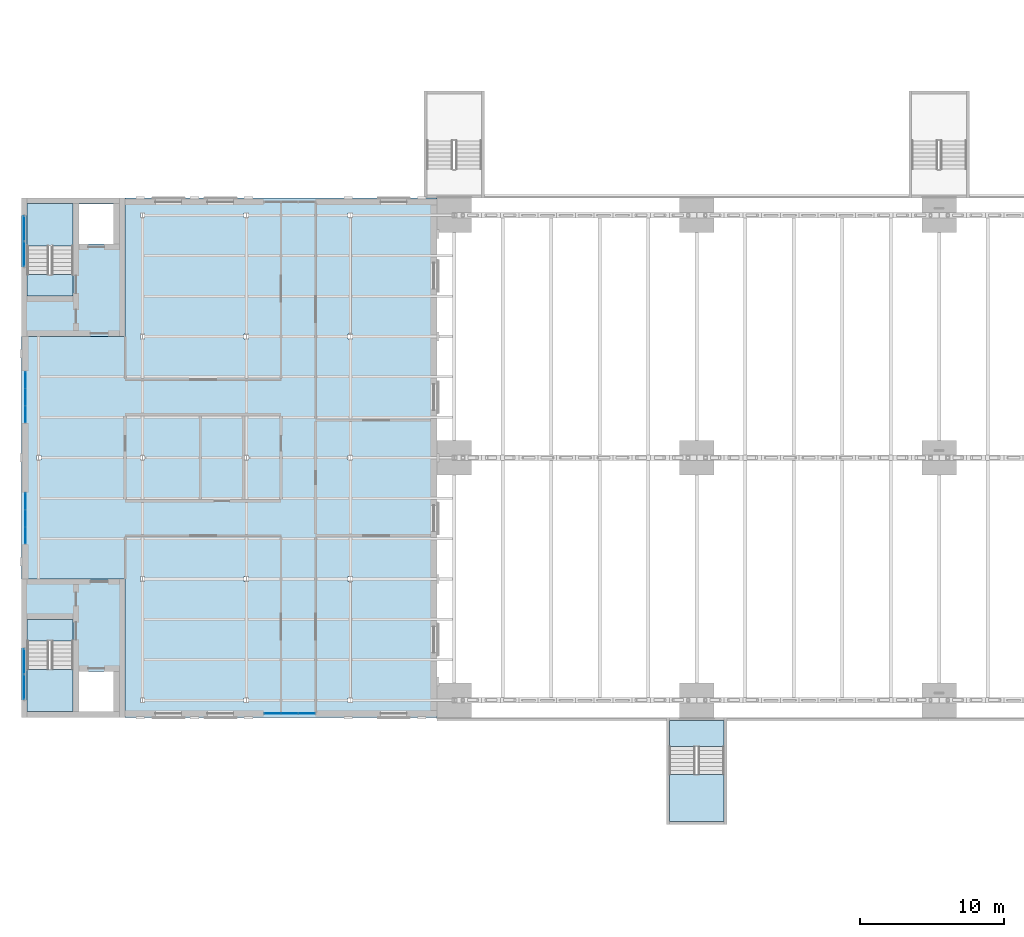
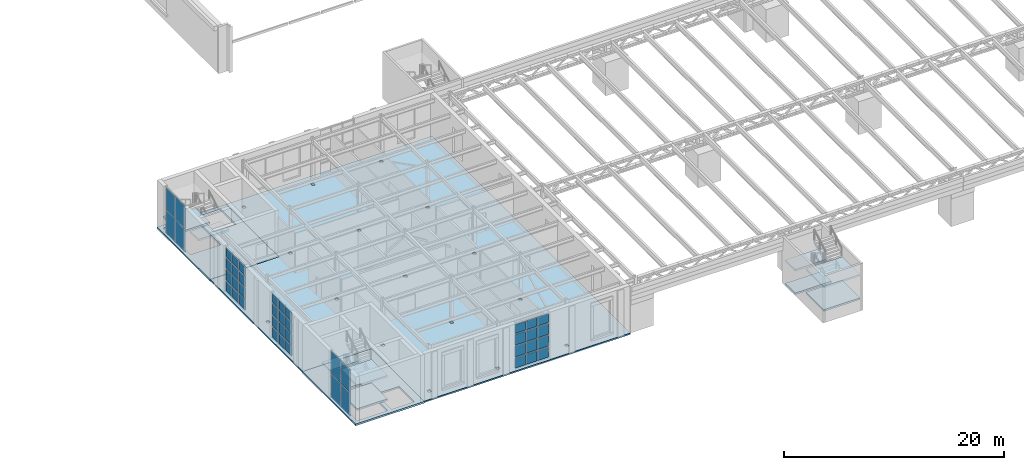
# One storey, part 49 of 93: 44 plates, 12 slabs, 8 elements without a shape of their own.
"""IFC4 building model written with IfcOpenShell, lengths in metres."""

from ifc_helpers import new_model, si_unit, direction, frame, origin, origin_2d, place, context, subcontext, project, spatial, polyline, rectangle, outline, extrude, material, layer, layer_set, type_object, element, aggregate, save


model = new_model("IFC4")

# Units and contexts
model_context = context("Model", 3, precision=1e-05, world=origin(), true_north=direction((0.0, 1.0)))
body_context = subcontext(model_context, "Body", "Model", "MODEL_VIEW")
ifc_project = project(units=[si_unit("LENGTHUNIT", "METRE"), si_unit("AREAUNIT", "SQUARE_METRE"), si_unit("VOLUMEUNIT", "CUBIC_METRE"), si_unit("PLANEANGLEUNIT", "RADIAN"), si_unit("MASSUNIT", "GRAM", prefix="KILO")], contexts=[model_context])

# Site, building, storey
site_placement = place(None, origin())
site = spatial("IfcSite", under=ifc_project, at=site_placement, CompositionType="ELEMENT")
building_placement = place(site_placement, origin())
building = spatial("IfcBuilding", under=site, at=building_placement, Name="Verrick Yard Athletic Hall", CompositionType="ELEMENT")
storey_placement = place(building_placement, frame((0.0, 0.0, 8.800048828125)))
storey = spatial("IfcBuildingStorey", under=building, at=storey_placement, Name="L02", CompositionType="ELEMENT", Elevation=8.800048828125)

# Slabs
ifc_material_1 = material(Name="Concrete 35 MPa", Category="concrete")
ifc_layer_1 = layer(ifc_material_1, 0.199951171875)
ifc_layer_set_1 = layer_set([ifc_layer_1], Name="Core floor slab 200")
slab_type_1 = type_object("IfcSlabType", Name="Core floor slab 200", PredefinedType="FLOOR", material=ifc_layer_set_1)
slab_1_placement = place(storey_placement, frame((0.0, 0.0, -0.199951171875)))
element("IfcSlab", 1, at=slab_1_placement, inside=storey, type_object=slab_type_1, Name="CORE-CB1-FLR-L02", PredefinedType="FLOOR", context=body_context, shape_type="SweptSolid", body=[
    extrude(outline(polyline([(10.0, 18.0), (17.199951171875, 18.0), (17.199951171875, 27.60009765625), (10.0, 27.60009765625), (10.0, 18.0)]), holes=[polyline([(10.403076171875, 23.297119140625), (13.596923828125, 23.297119140625), (13.596923828125, 18.403076171875), (10.403076171875, 18.403076171875), (10.403076171875, 23.297119140625)]), polyline([(14.0029296875, 18.403076171875), (14.0029296875, 21.197021484375), (16.39697265625, 21.197021484375), (16.39697265625, 18.403076171875), (14.0029296875, 18.403076171875)])]), origin(), (0.0, 0.0, 1.0), 0.199951171875),
])
slab_2_placement = place(storey_placement, frame((0.0, 0.0, -0.199951171875)))
element("IfcSlab", 2, at=slab_2_placement, inside=storey, type_object=slab_type_1, Name="CORE-CB2-FLR-L02", PredefinedType="FLOOR", context=body_context, shape_type="SweptSolid", body=[
    extrude(outline(polyline([(10.0, 44.39990234375), (17.199951171875, 44.39990234375), (17.199951171875, 54.0), (10.0, 54.0), (10.0, 44.39990234375)]), holes=[polyline([(13.596923828125, 48.702880859375), (10.403076171875, 48.702880859375), (10.403076171875, 53.596923828125), (13.596923828125, 53.596923828125), (13.596923828125, 48.702880859375)]), polyline([(14.0029296875, 50.802978515625), (14.0029296875, 53.596923828125), (16.39697265625, 53.596923828125), (16.39697265625, 50.802978515625), (14.0029296875, 50.802978515625)])]), origin(), (0.0, 0.0, 1.0), 0.199951171875),
])
slab_3_placement = place(storey_placement, frame((0.0, 0.0, -0.199951171875)))
element("IfcSlab", 3, at=slab_3_placement, inside=storey, type_object=slab_type_1, Name="CORE-DT-S1-NL-L02", PredefinedType="FLOOR", context=body_context, shape_type="SweptSolid", body=[
    extrude(outline(polyline([(54.89990234375, 17.800048828125), (54.89990234375, 16.0), (58.699951171875, 16.0), (58.699951171875, 17.800048828125), (54.89990234375, 17.800048828125)])), origin(), (0.0, 0.0, 1.0), 0.199951171875),
])

# Curtain wall, plates
ifc_material_2 = material(Name="Aluminium 6063-T5", Category="aluminium")
curtain_wall_type_1 = type_object("IfcCurtainWallType", Name="Core glazing strip", PredefinedType="NOTDEFINED", material=ifc_material_2)
curtain_wall_1_placement = place(storey_placement, origin())
curtain_wall_1 = element("IfcCurtainWall", 4, at=curtain_wall_1_placement, inside=storey, type_object=curtain_wall_type_1, Name="CORE-CB1-CW-L02", PredefinedType="NOTDEFINED")
ifc_material_3 = material(Name="Glass IGU low-e", Category="glass")
ifc_layer_2 = layer(ifc_material_3, 0.028076171875)
ifc_layer_set_2 = layer_set([ifc_layer_2], Name="Core glazing panel 28")
plate_type_1 = type_object("IfcPlateType", Name="Core glazing panel 28", PredefinedType="CURTAIN_PANEL", material=ifc_layer_set_2)
plate_1_placement = place(storey_placement, frame((10.199951171875, 20.114990234375, 0.06005859375), z_axis=(0.0, 0.0, 1.0), x_axis=(0.0, 1.0, 0.0)))
plate_1 = element("IfcPlate", 5, at=plate_1_placement, type_object=plate_type_1, Name="CW5 panel 1.1", PredefinedType="CURTAIN_PANEL", context=body_context, shape_type="SweptSolid", body=[
    extrude(rectangle(XDim=1.7099609375, YDim=0.028076171875, at=origin_2d()), origin(), (0.0, 0.0, 1.0), 2.510009765625),
])
plate_2_placement = place(storey_placement, frame((10.199951171875, 20.114990234375, 2.6298828125), z_axis=(0.0, 0.0, 1.0), x_axis=(0.0, 1.0, 0.0)))
plate_2 = element("IfcPlate", 6, at=plate_2_placement, type_object=plate_type_1, Name="CW5 panel 1.2", PredefinedType="CURTAIN_PANEL", context=body_context, shape_type="SweptSolid", body=[
    extrude(rectangle(XDim=1.7099609375, YDim=0.028076171875, at=origin_2d()), origin(), (0.0, 0.0, 1.0), 2.510009765625),
])
plate_3_placement = place(storey_placement, frame((10.199951171875, 21.885009765625, 0.06005859375), z_axis=(0.0, 0.0, 1.0), x_axis=(0.0, 1.0, 0.0)))
plate_3 = element("IfcPlate", 7, at=plate_3_placement, type_object=plate_type_1, Name="CW5 panel 2.1", PredefinedType="CURTAIN_PANEL", context=body_context, shape_type="SweptSolid", body=[
    extrude(rectangle(XDim=1.7099609375, YDim=0.028076171875, at=origin_2d()), origin(), (0.0, 0.0, 1.0), 2.510009765625),
])
plate_4_placement = place(storey_placement, frame((10.199951171875, 21.885009765625, 2.6298828125), z_axis=(0.0, 0.0, 1.0), x_axis=(0.0, 1.0, 0.0)))
plate_4 = element("IfcPlate", 8, at=plate_4_placement, type_object=plate_type_1, Name="CW5 panel 2.2", PredefinedType="CURTAIN_PANEL", context=body_context, shape_type="SweptSolid", body=[
    extrude(rectangle(XDim=1.7099609375, YDim=0.028076171875, at=origin_2d()), origin(), (0.0, 0.0, 1.0), 2.510009765625),
])
aggregate(curtain_wall_1, [plate_1, plate_2, plate_3, plate_4])

curtain_wall_2_placement = place(storey_placement, origin())
curtain_wall_2 = element("IfcCurtainWall", 9, at=curtain_wall_2_placement, inside=storey, type_object=curtain_wall_type_1, Name="CORE-CB2-CW-L02", PredefinedType="NOTDEFINED")
plate_5_placement = place(storey_placement, frame((10.199951171875, 50.114990234375, 0.06005859375), z_axis=(0.0, 0.0, 1.0), x_axis=(0.0, 1.0, 0.0)))
plate_5 = element("IfcPlate", 10, at=plate_5_placement, type_object=plate_type_1, Name="CW5 panel 1.1", PredefinedType="CURTAIN_PANEL", context=body_context, shape_type="SweptSolid", body=[
    extrude(rectangle(XDim=1.7099609375, YDim=0.028076171875, at=origin_2d()), origin(), (0.0, 0.0, 1.0), 2.510009765625),
])
plate_6_placement = place(storey_placement, frame((10.199951171875, 50.114990234375, 2.6298828125), z_axis=(0.0, 0.0, 1.0), x_axis=(0.0, 1.0, 0.0)))
plate_6 = element("IfcPlate", 11, at=plate_6_placement, type_object=plate_type_1, Name="CW5 panel 1.2", PredefinedType="CURTAIN_PANEL", context=body_context, shape_type="SweptSolid", body=[
    extrude(rectangle(XDim=1.7099609375, YDim=0.028076171875, at=origin_2d()), origin(), (0.0, 0.0, 1.0), 2.510009765625),
])
plate_7_placement = place(storey_placement, frame((10.199951171875, 51.885009765625, 0.06005859375), z_axis=(0.0, 0.0, 1.0), x_axis=(0.0, 1.0, 0.0)))
plate_7 = element("IfcPlate", 12, at=plate_7_placement, type_object=plate_type_1, Name="CW5 panel 2.1", PredefinedType="CURTAIN_PANEL", context=body_context, shape_type="SweptSolid", body=[
    extrude(rectangle(XDim=1.7099609375, YDim=0.028076171875, at=origin_2d()), origin(), (0.0, 0.0, 1.0), 2.510009765625),
])
plate_8_placement = place(storey_placement, frame((10.199951171875, 51.885009765625, 2.6298828125), z_axis=(0.0, 0.0, 1.0), x_axis=(0.0, 1.0, 0.0)))
plate_8 = element("IfcPlate", 13, at=plate_8_placement, type_object=plate_type_1, Name="CW5 panel 2.2", PredefinedType="CURTAIN_PANEL", context=body_context, shape_type="SweptSolid", body=[
    extrude(rectangle(XDim=1.7099609375, YDim=0.028076171875, at=origin_2d()), origin(), (0.0, 0.0, 1.0), 2.510009765625),
])
aggregate(curtain_wall_2, [plate_5, plate_6, plate_7, plate_8])

ifc_material_4 = material(Name="Anodised aluminium", Category="aluminium")
ifc_layer_3 = layer(ifc_material_4, 0.199951171875)
ifc_layer_set_3 = layer_set([ifc_layer_3], Name="Front glazing")
curtain_wall_type_2 = type_object("IfcCurtainWallType", Name="Front glazing", PredefinedType="NOTDEFINED", material=ifc_layer_set_3)
curtain_wall_3_placement = place(storey_placement, origin())
curtain_wall_3 = element("IfcCurtainWall", 14, at=curtain_wall_3_placement, inside=storey, type_object=curtain_wall_type_2, Name="ENVB-WS-L02-CW268", PredefinedType="NOTDEFINED")
ifc_layer_4 = layer(ifc_material_3, 0.03125)
ifc_layer_set_4 = layer_set([ifc_layer_4], Name="Glazing panel 31")
plate_type_2 = type_object("IfcPlateType", Name="Glazing panel 31", PredefinedType="CURTAIN_PANEL", material=ifc_layer_set_4)
plate_9_placement = place(storey_placement, frame((27.4150390625, 18.28125, 0.119873046875), z_axis=(0.0, 0.0, 1.0), x_axis=(1.0, 0.0, 0.0)))
plate_9 = element("IfcPlate", 15, at=plate_9_placement, type_object=plate_type_2, Name="ENVB-WS-L02-CW268/P00-00", PredefinedType="CURTAIN_PANEL", context=body_context, shape_type="SweptSolid", body=[
    extrude(rectangle(XDim=1.110107421875, YDim=0.03125, at=origin_2d()), origin(), (0.0, 0.0, 1.0), 1.1201171875),
])
plate_10_placement = place(storey_placement, frame((27.4150390625, 18.28125, 1.35986328125), z_axis=(0.0, 0.0, 1.0), x_axis=(1.0, 0.0, 0.0)))
plate_10 = element("IfcPlate", 16, at=plate_10_placement, type_object=plate_type_2, Name="ENVB-WS-L02-CW268/P00-01", PredefinedType="CURTAIN_PANEL", context=body_context, shape_type="SweptSolid", body=[
    extrude(rectangle(XDim=1.110107421875, YDim=0.03125, at=origin_2d()), origin(), (0.0, 0.0, 1.0), 1.179931640625),
])
plate_11_placement = place(storey_placement, frame((27.4150390625, 18.28125, 2.66015625), z_axis=(0.0, 0.0, 1.0), x_axis=(1.0, 0.0, 0.0)))
plate_11 = element("IfcPlate", 17, at=plate_11_placement, type_object=plate_type_2, Name="ENVB-WS-L02-CW268/P00-02", PredefinedType="CURTAIN_PANEL", context=body_context, shape_type="SweptSolid", body=[
    extrude(rectangle(XDim=1.110107421875, YDim=0.03125, at=origin_2d()), origin(), (0.0, 0.0, 1.0), 1.179931640625),
])
plate_12_placement = place(storey_placement, frame((27.4150390625, 18.28125, 3.9599609375), z_axis=(0.0, 0.0, 1.0), x_axis=(1.0, 0.0, 0.0)))
plate_12 = element("IfcPlate", 18, at=plate_12_placement, type_object=plate_type_2, Name="ENVB-WS-L02-CW268/P00-03", PredefinedType="CURTAIN_PANEL", context=body_context, shape_type="SweptSolid", body=[
    extrude(rectangle(XDim=1.110107421875, YDim=0.03125, at=origin_2d()), origin(), (0.0, 0.0, 1.0), 0.969970703125),
])
plate_13_placement = place(storey_placement, frame((28.60009765625, 18.28125, 0.119873046875), z_axis=(0.0, 0.0, 1.0), x_axis=(1.0, 0.0, 0.0)))
plate_13 = element("IfcPlate", 19, at=plate_13_placement, type_object=plate_type_2, Name="ENVB-WS-L02-CW268/P01-00", PredefinedType="CURTAIN_PANEL", context=body_context, shape_type="SweptSolid", body=[
    extrude(rectangle(XDim=1.139892578125, YDim=0.03125, at=origin_2d()), origin(), (0.0, 0.0, 1.0), 1.1201171875),
])
plate_14_placement = place(storey_placement, frame((28.60009765625, 18.28125, 1.35986328125), z_axis=(0.0, 0.0, 1.0), x_axis=(1.0, 0.0, 0.0)))
plate_14 = element("IfcPlate", 20, at=plate_14_placement, type_object=plate_type_2, Name="ENVB-WS-L02-CW268/P01-01", PredefinedType="CURTAIN_PANEL", context=body_context, shape_type="SweptSolid", body=[
    extrude(rectangle(XDim=1.139892578125, YDim=0.03125, at=origin_2d()), origin(), (0.0, 0.0, 1.0), 1.179931640625),
])
plate_15_placement = place(storey_placement, frame((28.60009765625, 18.28125, 2.66015625), z_axis=(0.0, 0.0, 1.0), x_axis=(1.0, 0.0, 0.0)))
plate_15 = element("IfcPlate", 21, at=plate_15_placement, type_object=plate_type_2, Name="ENVB-WS-L02-CW268/P01-02", PredefinedType="CURTAIN_PANEL", context=body_context, shape_type="SweptSolid", body=[
    extrude(rectangle(XDim=1.139892578125, YDim=0.03125, at=origin_2d()), origin(), (0.0, 0.0, 1.0), 1.179931640625),
])
plate_16_placement = place(storey_placement, frame((28.60009765625, 18.28125, 3.9599609375), z_axis=(0.0, 0.0, 1.0), x_axis=(1.0, 0.0, 0.0)))
plate_16 = element("IfcPlate", 22, at=plate_16_placement, type_object=plate_type_2, Name="ENVB-WS-L02-CW268/P01-03", PredefinedType="CURTAIN_PANEL", context=body_context, shape_type="SweptSolid", body=[
    extrude(rectangle(XDim=1.139892578125, YDim=0.03125, at=origin_2d()), origin(), (0.0, 0.0, 1.0), 0.969970703125),
])
plate_17_placement = place(storey_placement, frame((29.784912109375, 18.28125, 0.119873046875), z_axis=(0.0, 0.0, 1.0), x_axis=(1.0, 0.0, 0.0)))
plate_17 = element("IfcPlate", 23, at=plate_17_placement, type_object=plate_type_2, Name="ENVB-WS-L02-CW268/P02-00", PredefinedType="CURTAIN_PANEL", context=body_context, shape_type="SweptSolid", body=[
    extrude(rectangle(XDim=1.110107421875, YDim=0.03125, at=origin_2d()), origin(), (0.0, 0.0, 1.0), 1.1201171875),
])
plate_18_placement = place(storey_placement, frame((29.784912109375, 18.28125, 1.35986328125), z_axis=(0.0, 0.0, 1.0), x_axis=(1.0, 0.0, 0.0)))
plate_18 = element("IfcPlate", 24, at=plate_18_placement, type_object=plate_type_2, Name="ENVB-WS-L02-CW268/P02-01", PredefinedType="CURTAIN_PANEL", context=body_context, shape_type="SweptSolid", body=[
    extrude(rectangle(XDim=1.110107421875, YDim=0.03125, at=origin_2d()), origin(), (0.0, 0.0, 1.0), 1.179931640625),
])
plate_19_placement = place(storey_placement, frame((29.784912109375, 18.28125, 2.66015625), z_axis=(0.0, 0.0, 1.0), x_axis=(1.0, 0.0, 0.0)))
plate_19 = element("IfcPlate", 25, at=plate_19_placement, type_object=plate_type_2, Name="ENVB-WS-L02-CW268/P02-02", PredefinedType="CURTAIN_PANEL", context=body_context, shape_type="SweptSolid", body=[
    extrude(rectangle(XDim=1.110107421875, YDim=0.03125, at=origin_2d()), origin(), (0.0, 0.0, 1.0), 1.179931640625),
])
plate_20_placement = place(storey_placement, frame((29.784912109375, 18.28125, 3.9599609375), z_axis=(0.0, 0.0, 1.0), x_axis=(1.0, 0.0, 0.0)))
plate_20 = element("IfcPlate", 26, at=plate_20_placement, type_object=plate_type_2, Name="ENVB-WS-L02-CW268/P02-03", PredefinedType="CURTAIN_PANEL", context=body_context, shape_type="SweptSolid", body=[
    extrude(rectangle(XDim=1.110107421875, YDim=0.03125, at=origin_2d()), origin(), (0.0, 0.0, 1.0), 0.969970703125),
])
aggregate(curtain_wall_3, [plate_9, plate_10, plate_11, plate_12, plate_13, plate_14, plate_15, plate_16, plate_17, plate_18, plate_19, plate_20])

curtain_wall_4_placement = place(storey_placement, origin())
curtain_wall_4 = element("IfcCurtainWall", 27, at=curtain_wall_4_placement, inside=storey, type_object=curtain_wall_type_2, Name="ENVB-WW-L02-CW300", PredefinedType="NOTDEFINED")
plate_21_placement = place(storey_placement, frame((10.28125, 30.614990234375, 0.119873046875), z_axis=(0.0, 0.0, 1.0), x_axis=(0.0, 1.0, 0.0)))
plate_21 = element("IfcPlate", 28, at=plate_21_placement, type_object=plate_type_2, Name="ENVB-WW-L02-CW300/P00-00", PredefinedType="CURTAIN_PANEL", context=body_context, shape_type="SweptSolid", body=[
    extrude(rectangle(XDim=1.110107421875, YDim=0.03125, at=origin_2d()), origin(), (0.0, 0.0, 1.0), 1.1201171875),
])
plate_22_placement = place(storey_placement, frame((10.28125, 30.614990234375, 1.35986328125), z_axis=(0.0, 0.0, 1.0), x_axis=(0.0, 1.0, 0.0)))
plate_22 = element("IfcPlate", 29, at=plate_22_placement, type_object=plate_type_2, Name="ENVB-WW-L02-CW300/P00-01", PredefinedType="CURTAIN_PANEL", context=body_context, shape_type="SweptSolid", body=[
    extrude(rectangle(XDim=1.110107421875, YDim=0.03125, at=origin_2d()), origin(), (0.0, 0.0, 1.0), 1.179931640625),
])
plate_23_placement = place(storey_placement, frame((10.28125, 30.614990234375, 2.66015625), z_axis=(0.0, 0.0, 1.0), x_axis=(0.0, 1.0, 0.0)))
plate_23 = element("IfcPlate", 30, at=plate_23_placement, type_object=plate_type_2, Name="ENVB-WW-L02-CW300/P00-02", PredefinedType="CURTAIN_PANEL", context=body_context, shape_type="SweptSolid", body=[
    extrude(rectangle(XDim=1.110107421875, YDim=0.03125, at=origin_2d()), origin(), (0.0, 0.0, 1.0), 1.179931640625),
])
plate_24_placement = place(storey_placement, frame((10.28125, 30.614990234375, 3.9599609375), z_axis=(0.0, 0.0, 1.0), x_axis=(0.0, 1.0, 0.0)))
plate_24 = element("IfcPlate", 31, at=plate_24_placement, type_object=plate_type_2, Name="ENVB-WW-L02-CW300/P00-03", PredefinedType="CURTAIN_PANEL", context=body_context, shape_type="SweptSolid", body=[
    extrude(rectangle(XDim=1.110107421875, YDim=0.03125, at=origin_2d()), origin(), (0.0, 0.0, 1.0), 0.969970703125),
])
plate_25_placement = place(storey_placement, frame((10.28125, 31.800048828125, 0.119873046875), z_axis=(0.0, 0.0, 1.0), x_axis=(0.0, 1.0, 0.0)))
plate_25 = element("IfcPlate", 32, at=plate_25_placement, type_object=plate_type_2, Name="ENVB-WW-L02-CW300/P01-00", PredefinedType="CURTAIN_PANEL", context=body_context, shape_type="SweptSolid", body=[
    extrude(rectangle(XDim=1.139892578125, YDim=0.03125, at=origin_2d()), origin(), (0.0, 0.0, 1.0), 1.1201171875),
])
plate_26_placement = place(storey_placement, frame((10.28125, 31.800048828125, 1.35986328125), z_axis=(0.0, 0.0, 1.0), x_axis=(0.0, 1.0, 0.0)))
plate_26 = element("IfcPlate", 33, at=plate_26_placement, type_object=plate_type_2, Name="ENVB-WW-L02-CW300/P01-01", PredefinedType="CURTAIN_PANEL", context=body_context, shape_type="SweptSolid", body=[
    extrude(rectangle(XDim=1.139892578125, YDim=0.03125, at=origin_2d()), origin(), (0.0, 0.0, 1.0), 1.179931640625),
])
plate_27_placement = place(storey_placement, frame((10.28125, 31.800048828125, 2.66015625), z_axis=(0.0, 0.0, 1.0), x_axis=(0.0, 1.0, 0.0)))
plate_27 = element("IfcPlate", 34, at=plate_27_placement, type_object=plate_type_2, Name="ENVB-WW-L02-CW300/P01-02", PredefinedType="CURTAIN_PANEL", context=body_context, shape_type="SweptSolid", body=[
    extrude(rectangle(XDim=1.139892578125, YDim=0.03125, at=origin_2d()), origin(), (0.0, 0.0, 1.0), 1.179931640625),
])
plate_28_placement = place(storey_placement, frame((10.28125, 31.800048828125, 3.9599609375), z_axis=(0.0, 0.0, 1.0), x_axis=(0.0, 1.0, 0.0)))
plate_28 = element("IfcPlate", 35, at=plate_28_placement, type_object=plate_type_2, Name="ENVB-WW-L02-CW300/P01-03", PredefinedType="CURTAIN_PANEL", context=body_context, shape_type="SweptSolid", body=[
    extrude(rectangle(XDim=1.139892578125, YDim=0.03125, at=origin_2d()), origin(), (0.0, 0.0, 1.0), 0.969970703125),
])
plate_29_placement = place(storey_placement, frame((10.28125, 32.985107421875, 0.119873046875), z_axis=(0.0, 0.0, 1.0), x_axis=(0.0, 1.0, 0.0)))
plate_29 = element("IfcPlate", 36, at=plate_29_placement, type_object=plate_type_2, Name="ENVB-WW-L02-CW300/P02-00", PredefinedType="CURTAIN_PANEL", context=body_context, shape_type="SweptSolid", body=[
    extrude(rectangle(XDim=1.110107421875, YDim=0.03125, at=origin_2d()), origin(), (0.0, 0.0, 1.0), 1.1201171875),
])
plate_30_placement = place(storey_placement, frame((10.28125, 32.985107421875, 1.35986328125), z_axis=(0.0, 0.0, 1.0), x_axis=(0.0, 1.0, 0.0)))
plate_30 = element("IfcPlate", 37, at=plate_30_placement, type_object=plate_type_2, Name="ENVB-WW-L02-CW300/P02-01", PredefinedType="CURTAIN_PANEL", context=body_context, shape_type="SweptSolid", body=[
    extrude(rectangle(XDim=1.110107421875, YDim=0.03125, at=origin_2d()), origin(), (0.0, 0.0, 1.0), 1.179931640625),
])
plate_31_placement = place(storey_placement, frame((10.28125, 32.985107421875, 2.66015625), z_axis=(0.0, 0.0, 1.0), x_axis=(0.0, 1.0, 0.0)))
plate_31 = element("IfcPlate", 38, at=plate_31_placement, type_object=plate_type_2, Name="ENVB-WW-L02-CW300/P02-02", PredefinedType="CURTAIN_PANEL", context=body_context, shape_type="SweptSolid", body=[
    extrude(rectangle(XDim=1.110107421875, YDim=0.03125, at=origin_2d()), origin(), (0.0, 0.0, 1.0), 1.179931640625),
])
plate_32_placement = place(storey_placement, frame((10.28125, 32.985107421875, 3.9599609375), z_axis=(0.0, 0.0, 1.0), x_axis=(0.0, 1.0, 0.0)))
plate_32 = element("IfcPlate", 39, at=plate_32_placement, type_object=plate_type_2, Name="ENVB-WW-L02-CW300/P02-03", PredefinedType="CURTAIN_PANEL", context=body_context, shape_type="SweptSolid", body=[
    extrude(rectangle(XDim=1.110107421875, YDim=0.03125, at=origin_2d()), origin(), (0.0, 0.0, 1.0), 0.969970703125),
])
aggregate(curtain_wall_4, [plate_21, plate_22, plate_23, plate_24, plate_25, plate_26, plate_27, plate_28, plate_29, plate_30, plate_31, plate_32])

curtain_wall_5_placement = place(storey_placement, origin())
curtain_wall_5 = element("IfcCurtainWall", 40, at=curtain_wall_5_placement, inside=storey, type_object=curtain_wall_type_2, Name="ENVB-WW-L02-CW384", PredefinedType="NOTDEFINED")
plate_33_placement = place(storey_placement, frame((10.28125, 39.014892578125, 0.119873046875), z_axis=(0.0, 0.0, 1.0), x_axis=(0.0, 1.0, 0.0)))
plate_33 = element("IfcPlate", 41, at=plate_33_placement, type_object=plate_type_2, Name="ENVB-WW-L02-CW384/P00-00", PredefinedType="CURTAIN_PANEL", context=body_context, shape_type="SweptSolid", body=[
    extrude(rectangle(XDim=1.110107421875, YDim=0.03125, at=origin_2d()), origin(), (0.0, 0.0, 1.0), 1.1201171875),
])
plate_34_placement = place(storey_placement, frame((10.28125, 39.014892578125, 1.35986328125), z_axis=(0.0, 0.0, 1.0), x_axis=(0.0, 1.0, 0.0)))
plate_34 = element("IfcPlate", 42, at=plate_34_placement, type_object=plate_type_2, Name="ENVB-WW-L02-CW384/P00-01", PredefinedType="CURTAIN_PANEL", context=body_context, shape_type="SweptSolid", body=[
    extrude(rectangle(XDim=1.110107421875, YDim=0.03125, at=origin_2d()), origin(), (0.0, 0.0, 1.0), 1.179931640625),
])
plate_35_placement = place(storey_placement, frame((10.28125, 39.014892578125, 2.66015625), z_axis=(0.0, 0.0, 1.0), x_axis=(0.0, 1.0, 0.0)))
plate_35 = element("IfcPlate", 43, at=plate_35_placement, type_object=plate_type_2, Name="ENVB-WW-L02-CW384/P00-02", PredefinedType="CURTAIN_PANEL", context=body_context, shape_type="SweptSolid", body=[
    extrude(rectangle(XDim=1.110107421875, YDim=0.03125, at=origin_2d()), origin(), (0.0, 0.0, 1.0), 1.179931640625),
])
plate_36_placement = place(storey_placement, frame((10.28125, 39.014892578125, 3.9599609375), z_axis=(0.0, 0.0, 1.0), x_axis=(0.0, 1.0, 0.0)))
plate_36 = element("IfcPlate", 44, at=plate_36_placement, type_object=plate_type_2, Name="ENVB-WW-L02-CW384/P00-03", PredefinedType="CURTAIN_PANEL", context=body_context, shape_type="SweptSolid", body=[
    extrude(rectangle(XDim=1.110107421875, YDim=0.03125, at=origin_2d()), origin(), (0.0, 0.0, 1.0), 0.969970703125),
])
plate_37_placement = place(storey_placement, frame((10.28125, 40.199951171875, 0.119873046875), z_axis=(0.0, 0.0, 1.0), x_axis=(0.0, 1.0, 0.0)))
plate_37 = element("IfcPlate", 45, at=plate_37_placement, type_object=plate_type_2, Name="ENVB-WW-L02-CW384/P01-00", PredefinedType="CURTAIN_PANEL", context=body_context, shape_type="SweptSolid", body=[
    extrude(rectangle(XDim=1.139892578125, YDim=0.03125, at=origin_2d()), origin(), (0.0, 0.0, 1.0), 1.1201171875),
])
plate_38_placement = place(storey_placement, frame((10.28125, 40.199951171875, 1.35986328125), z_axis=(0.0, 0.0, 1.0), x_axis=(0.0, 1.0, 0.0)))
plate_38 = element("IfcPlate", 46, at=plate_38_placement, type_object=plate_type_2, Name="ENVB-WW-L02-CW384/P01-01", PredefinedType="CURTAIN_PANEL", context=body_context, shape_type="SweptSolid", body=[
    extrude(rectangle(XDim=1.139892578125, YDim=0.03125, at=origin_2d()), origin(), (0.0, 0.0, 1.0), 1.179931640625),
])
plate_39_placement = place(storey_placement, frame((10.28125, 40.199951171875, 2.66015625), z_axis=(0.0, 0.0, 1.0), x_axis=(0.0, 1.0, 0.0)))
plate_39 = element("IfcPlate", 47, at=plate_39_placement, type_object=plate_type_2, Name="ENVB-WW-L02-CW384/P01-02", PredefinedType="CURTAIN_PANEL", context=body_context, shape_type="SweptSolid", body=[
    extrude(rectangle(XDim=1.139892578125, YDim=0.03125, at=origin_2d()), origin(), (0.0, 0.0, 1.0), 1.179931640625),
])
plate_40_placement = place(storey_placement, frame((10.28125, 40.199951171875, 3.9599609375), z_axis=(0.0, 0.0, 1.0), x_axis=(0.0, 1.0, 0.0)))
plate_40 = element("IfcPlate", 48, at=plate_40_placement, type_object=plate_type_2, Name="ENVB-WW-L02-CW384/P01-03", PredefinedType="CURTAIN_PANEL", context=body_context, shape_type="SweptSolid", body=[
    extrude(rectangle(XDim=1.139892578125, YDim=0.03125, at=origin_2d()), origin(), (0.0, 0.0, 1.0), 0.969970703125),
])
plate_41_placement = place(storey_placement, frame((10.28125, 41.385009765625, 0.119873046875), z_axis=(0.0, 0.0, 1.0), x_axis=(0.0, 1.0, 0.0)))
plate_41 = element("IfcPlate", 49, at=plate_41_placement, type_object=plate_type_2, Name="ENVB-WW-L02-CW384/P02-00", PredefinedType="CURTAIN_PANEL", context=body_context, shape_type="SweptSolid", body=[
    extrude(rectangle(XDim=1.110107421875, YDim=0.03125, at=origin_2d()), origin(), (0.0, 0.0, 1.0), 1.1201171875),
])
plate_42_placement = place(storey_placement, frame((10.28125, 41.385009765625, 1.35986328125), z_axis=(0.0, 0.0, 1.0), x_axis=(0.0, 1.0, 0.0)))
plate_42 = element("IfcPlate", 50, at=plate_42_placement, type_object=plate_type_2, Name="ENVB-WW-L02-CW384/P02-01", PredefinedType="CURTAIN_PANEL", context=body_context, shape_type="SweptSolid", body=[
    extrude(rectangle(XDim=1.110107421875, YDim=0.03125, at=origin_2d()), origin(), (0.0, 0.0, 1.0), 1.179931640625),
])
plate_43_placement = place(storey_placement, frame((10.28125, 41.385009765625, 2.66015625), z_axis=(0.0, 0.0, 1.0), x_axis=(0.0, 1.0, 0.0)))
plate_43 = element("IfcPlate", 51, at=plate_43_placement, type_object=plate_type_2, Name="ENVB-WW-L02-CW384/P02-02", PredefinedType="CURTAIN_PANEL", context=body_context, shape_type="SweptSolid", body=[
    extrude(rectangle(XDim=1.110107421875, YDim=0.03125, at=origin_2d()), origin(), (0.0, 0.0, 1.0), 1.179931640625),
])
plate_44_placement = place(storey_placement, frame((10.28125, 41.385009765625, 3.9599609375), z_axis=(0.0, 0.0, 1.0), x_axis=(0.0, 1.0, 0.0)))
plate_44 = element("IfcPlate", 52, at=plate_44_placement, type_object=plate_type_2, Name="ENVB-WW-L02-CW384/P02-03", PredefinedType="CURTAIN_PANEL", context=body_context, shape_type="SweptSolid", body=[
    extrude(rectangle(XDim=1.110107421875, YDim=0.03125, at=origin_2d()), origin(), (0.0, 0.0, 1.0), 0.969970703125),
])
aggregate(curtain_wall_5, [plate_33, plate_34, plate_35, plate_36, plate_37, plate_38, plate_39, plate_40, plate_41, plate_42, plate_43, plate_44])

# Slab
ifc_layer_5 = layer(ifc_material_1, 0.14990234375)
ifc_layer_set_5 = layer_set([ifc_layer_5], Name="STR Wing floor slab SL4")
slab_type_2 = type_object("IfcSlabType", Name="STR Wing floor slab SL4", PredefinedType="FLOOR", material=ifc_layer_set_5)
slab_4_placement = place(storey_placement, frame((0.0, 0.0, -0.150146484375)))
element("IfcSlab", 53, at=slab_4_placement, inside=storey, type_object=slab_type_2, Name="STR-SL-WING-L02", PredefinedType="FLOOR", context=body_context, shape_type="SweptSolid", body=[
    extrude(outline(polyline([(38.800048828125, 54.0), (17.199951171875, 54.0), (17.199951171875, 44.39990234375), (10.0, 44.39990234375), (10.0, 27.60009765625), (17.199951171875, 27.60009765625), (17.199951171875, 18.0), (38.800048828125, 18.0), (38.800048828125, 54.0)]), holes=[polyline([(18.554443359375, 19.361572265625), (18.554443359375, 19.03857421875), (18.24560546875, 19.03857421875), (18.24560546875, 19.361572265625), (18.554443359375, 19.361572265625)]), polyline([(18.554443359375, 27.761474609375), (18.554443359375, 27.4384765625), (18.24560546875, 27.4384765625), (18.24560546875, 27.761474609375), (18.554443359375, 27.761474609375)]), polyline([(11.3544921875, 35.83837890625), (11.04541015625, 35.83837890625), (11.04541015625, 36.16162109375), (11.3544921875, 36.16162109375), (11.3544921875, 35.83837890625)]), polyline([(18.554443359375, 35.83837890625), (18.24560546875, 35.83837890625), (18.24560546875, 36.16162109375), (18.554443359375, 36.16162109375), (18.554443359375, 35.83837890625)]), polyline([(25.75439453125, 36.16162109375), (25.75439453125, 35.83837890625), (25.445556640625, 35.83837890625), (25.445556640625, 36.16162109375), (25.75439453125, 36.16162109375)]), polyline([(18.554443359375, 44.5615234375), (18.554443359375, 44.238525390625), (18.24560546875, 44.238525390625), (18.24560546875, 44.5615234375), (18.554443359375, 44.5615234375)]), polyline([(25.75439453125, 44.5615234375), (25.75439453125, 44.238525390625), (25.445556640625, 44.238525390625), (25.445556640625, 44.5615234375), (25.75439453125, 44.5615234375)]), polyline([(18.554443359375, 52.638427734375), (18.24560546875, 52.638427734375), (18.24560546875, 52.96142578125), (18.554443359375, 52.96142578125), (18.554443359375, 52.638427734375)]), polyline([(25.75439453125, 52.96142578125), (25.75439453125, 52.638427734375), (25.445556640625, 52.638427734375), (25.445556640625, 52.96142578125), (25.75439453125, 52.96142578125)]), polyline([(25.75439453125, 19.361572265625), (25.75439453125, 19.03857421875), (25.445556640625, 19.03857421875), (25.445556640625, 19.361572265625), (25.75439453125, 19.361572265625)]), polyline([(32.95458984375, 19.361572265625), (32.95458984375, 19.03857421875), (32.6455078125, 19.03857421875), (32.6455078125, 19.361572265625), (32.95458984375, 19.361572265625)]), polyline([(25.75439453125, 27.4384765625), (25.445556640625, 27.4384765625), (25.445556640625, 27.761474609375), (25.75439453125, 27.761474609375), (25.75439453125, 27.4384765625)]), polyline([(32.95458984375, 27.761474609375), (32.95458984375, 27.4384765625), (32.6455078125, 27.4384765625), (32.6455078125, 27.761474609375), (32.95458984375, 27.761474609375)]), polyline([(32.95458984375, 35.83837890625), (32.6455078125, 35.83837890625), (32.6455078125, 36.16162109375), (32.95458984375, 36.16162109375), (32.95458984375, 35.83837890625)]), polyline([(32.95458984375, 44.5615234375), (32.95458984375, 44.238525390625), (32.6455078125, 44.238525390625), (32.6455078125, 44.5615234375), (32.95458984375, 44.5615234375)]), polyline([(32.95458984375, 52.638427734375), (32.6455078125, 52.638427734375), (32.6455078125, 52.96142578125), (32.95458984375, 52.96142578125), (32.95458984375, 52.638427734375)])]), origin(), (0.0, 0.0, 1.0), 0.150146484375),
])

# Stair, slabs
stair_type_1 = type_object("IfcStairType", Name="Stair ST2 1500 wide 32 risers", PredefinedType="HALF_TURN_STAIR", material=ifc_material_1)
stair_1_placement = place(storey_placement, origin())
stair_1 = element("IfcStair", 54, at=stair_1_placement, inside=storey, type_object=stair_type_1, Name="Wing south-west stair L02", PredefinedType="HALF_TURN_STAIR")
ifc_layer_6 = layer(ifc_material_1, 0.199951171875)
ifc_layer_set_6 = layer_set([ifc_layer_6], Name="Stair landing slab 200")
slab_type_3 = type_object("IfcSlabType", Name="Stair landing slab 200", PredefinedType="LANDING", material=ifc_layer_set_6)
slab_5_placement = place(storey_placement, frame((0.0, 0.0, 1.099853515625)))
slab_5 = element("IfcSlab", 55, at=slab_5_placement, type_object=slab_type_3, Name="ST2 landing 1", PredefinedType="LANDING", context=body_context, shape_type="SweptSolid", body=[
    extrude(outline(polyline([(10.39990234375, 21.340087890625), (10.39990234375, 18.39990234375), (13.60009765625, 18.39990234375), (13.60009765625, 21.340087890625), (10.39990234375, 21.340087890625)])), origin(), (0.0, 0.0, 1.0), 0.2001953125),
])
slab_6_placement = place(storey_placement, frame((0.0, 0.0, 2.39990234375)))
slab_6 = element("IfcSlab", 56, at=slab_6_placement, type_object=slab_type_3, Name="ST2 landing 2", PredefinedType="LANDING", context=body_context, shape_type="SweptSolid", body=[
    extrude(outline(polyline([(10.39990234375, 24.800048828125), (10.39990234375, 23.300048828125), (13.60009765625, 23.300048828125), (13.60009765625, 24.800048828125), (10.39990234375, 24.800048828125)])), origin(), (0.0, 0.0, 1.0), 0.199951171875),
])
slab_7_placement = place(storey_placement, frame((0.0, 0.0, 3.699951171875)))
slab_7 = element("IfcSlab", 57, at=slab_7_placement, type_object=slab_type_3, Name="ST2 landing 3", PredefinedType="LANDING", context=body_context, shape_type="SweptSolid", body=[
    extrude(outline(polyline([(10.39990234375, 21.340087890625), (10.39990234375, 18.39990234375), (13.60009765625, 18.39990234375), (13.60009765625, 21.340087890625), (10.39990234375, 21.340087890625)])), origin(), (0.0, 0.0, 1.0), 0.199951171875),
])
aggregate(stair_1, [slab_5, slab_6, slab_7])

stair_2_placement = place(storey_placement, origin())
stair_2 = element("IfcStair", 58, at=stair_2_placement, inside=storey, type_object=stair_type_1, Name="Wing north-west stair L02", PredefinedType="HALF_TURN_STAIR")
slab_8_placement = place(storey_placement, frame((0.0, 0.0, 1.099853515625)))
slab_8 = element("IfcSlab", 59, at=slab_8_placement, type_object=slab_type_3, Name="ST2 landing 1", PredefinedType="LANDING", context=body_context, shape_type="SweptSolid", body=[
    extrude(outline(polyline([(13.60009765625, 50.659912109375), (13.60009765625, 53.60009765625), (10.39990234375, 53.60009765625), (10.39990234375, 50.659912109375), (13.60009765625, 50.659912109375)])), origin(), (0.0, 0.0, 1.0), 0.2001953125),
])
slab_9_placement = place(storey_placement, frame((0.0, 0.0, 2.39990234375)))
slab_9 = element("IfcSlab", 60, at=slab_9_placement, type_object=slab_type_3, Name="ST2 landing 2", PredefinedType="LANDING", context=body_context, shape_type="SweptSolid", body=[
    extrude(outline(polyline([(13.60009765625, 47.199951171875), (13.60009765625, 48.699951171875), (10.39990234375, 48.699951171875), (10.39990234375, 47.199951171875), (13.60009765625, 47.199951171875)])), origin(), (0.0, 0.0, 1.0), 0.199951171875),
])
aggregate(stair_2, [slab_8, slab_9])

stair_type_2 = type_object("IfcStairType", Name="Stair ST4 1800 wide 32 risers", PredefinedType="HALF_TURN_STAIR", material=ifc_material_1)
stair_3_placement = place(storey_placement, origin())
stair_3 = element("IfcStair", 61, at=stair_3_placement, inside=storey, type_object=stair_type_2, Name="South deck escape 1 stair L02", PredefinedType="HALF_TURN_STAIR")
slab_10_placement = place(storey_placement, frame((0.0, 0.0, 1.099853515625)))
slab_10 = element("IfcSlab", 62, at=slab_10_placement, type_object=slab_type_3, Name="ST4 landing 1", PredefinedType="LANDING", context=body_context, shape_type="SweptSolid", body=[
    extrude(outline(polyline([(54.89990234375, 14.0400390625), (54.89990234375, 10.800048828125), (58.699951171875, 10.800048828125), (58.699951171875, 14.0400390625), (54.89990234375, 14.0400390625)])), origin(), (0.0, 0.0, 1.0), 0.2001953125),
])
slab_11_placement = place(storey_placement, frame((0.0, 0.0, 2.39990234375)))
slab_11 = element("IfcSlab", 63, at=slab_11_placement, type_object=slab_type_3, Name="ST4 landing 2", PredefinedType="LANDING", context=body_context, shape_type="SweptSolid", body=[
    extrude(outline(polyline([(54.89990234375, 17.800048828125), (54.89990234375, 16.0), (58.699951171875, 16.0), (58.699951171875, 17.800048828125), (54.89990234375, 17.800048828125)])), origin(), (0.0, 0.0, 1.0), 0.199951171875),
])
slab_12_placement = place(storey_placement, frame((0.0, 0.0, 3.699951171875)))
slab_12 = element("IfcSlab", 64, at=slab_12_placement, type_object=slab_type_3, Name="ST4 landing 3", PredefinedType="LANDING", context=body_context, shape_type="SweptSolid", body=[
    extrude(outline(polyline([(54.89990234375, 14.0400390625), (54.89990234375, 10.800048828125), (58.699951171875, 10.800048828125), (58.699951171875, 14.0400390625), (54.89990234375, 14.0400390625)])), origin(), (0.0, 0.0, 1.0), 0.199951171875),
])
aggregate(stair_3, [slab_10, slab_11, slab_12])

save(model, "model.ifc")
